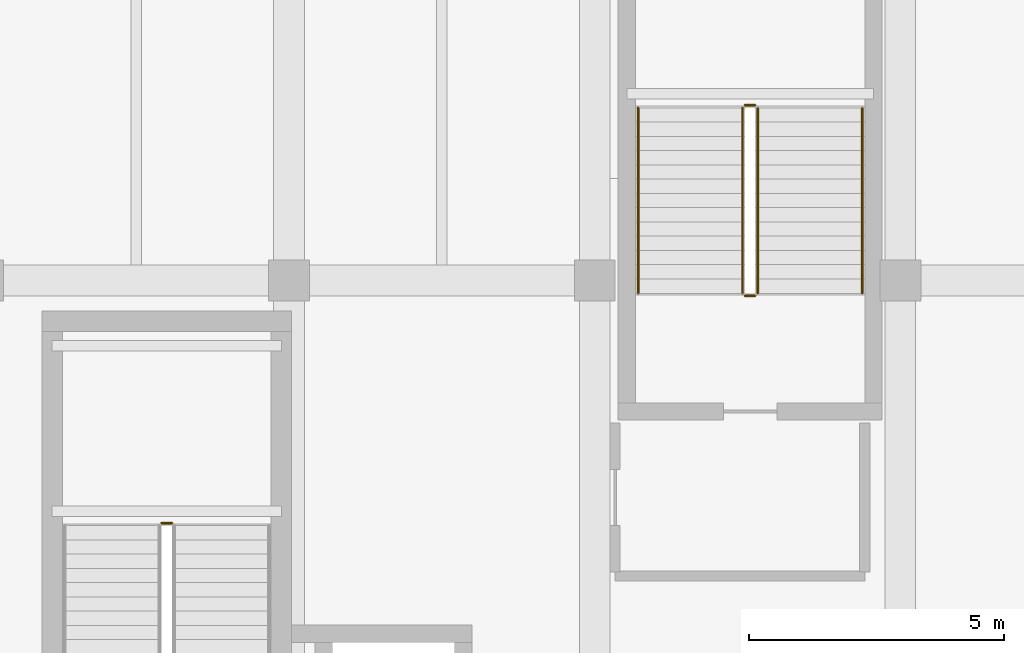
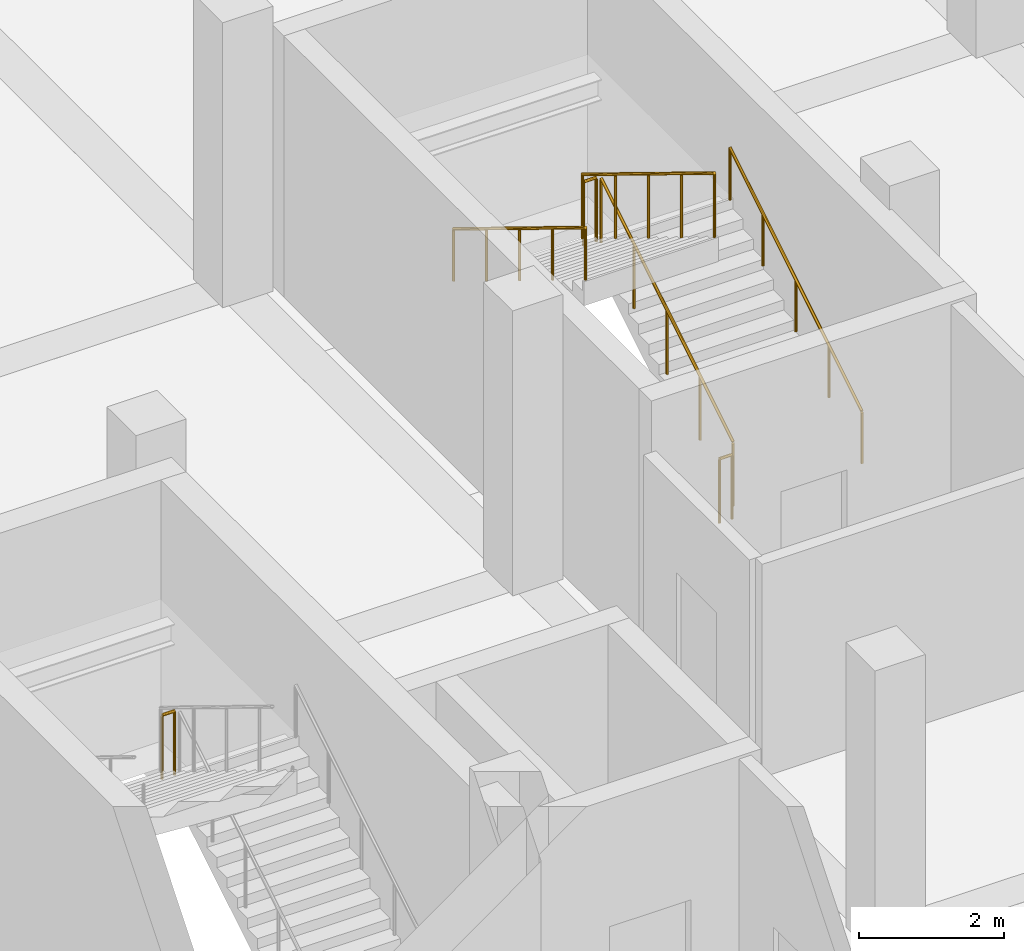
# One storey, part 35 of 36: 7 railings.
"""IFC4 building model written with IfcOpenShell, lengths in metres."""

from ifc_helpers import new_model, si_unit, direction, frame, origin, origin_2d, place, context, subcontext, project, spatial, circle, extrude, material, type_object, element, save


model = new_model("IFC4")

# Units and contexts
model_context = context("Model", 3, precision=1e-05, world=origin(), true_north=direction((0.0, 1.0)))
body_context = subcontext(model_context, "Body", "Model", "MODEL_VIEW")
ifc_project = project(units=[si_unit("LENGTHUNIT", "METRE"), si_unit("AREAUNIT", "SQUARE_METRE"), si_unit("VOLUMEUNIT", "CUBIC_METRE"), si_unit("PLANEANGLEUNIT", "RADIAN"), si_unit("MASSUNIT", "GRAM", prefix="KILO")], contexts=[model_context])

# Site, building, storey
site_placement = place(None, origin())
site = spatial("IfcSite", under=ifc_project, at=site_placement, CompositionType="ELEMENT")
building_placement = place(site_placement, origin())
building = spatial("IfcBuilding", under=site, at=building_placement, Name="Verrall Gate Interchange", CompositionType="ELEMENT")
storey_placement = place(building_placement, frame((0.0, 0.0, -4.800048828125)))
storey = spatial("IfcBuildingStorey", under=building, at=storey_placement, Name="B1", CompositionType="ELEMENT", Elevation=-4.800048828125)

# Railings
ifc_material_1 = material(Name="Brushed Stainless-Steel Guardrail and Handrail System", Category="steel")
railing_type_1 = type_object("IfcRailingType", Name="GR-02 Interior Atrium and Stair Guardrail 1100", PredefinedType="GUARDRAIL", material=ifc_material_1)
railing_1_placement = place(storey_placement, frame((9.699951171875, 61.239990234375, 2.400146484375)))
element("IfcRailing", 1, at=railing_1_placement, inside=storey, type_object=railing_type_1, Name="B1 ST-03 stair guard 2", PredefinedType="GUARDRAIL", context=body_context, shape_type="SweptSolid", body=[
    extrude(circle(Radius=0.02392578125, at=origin_2d()), frame((0.0, 0.0, 1.076171875), z_axis=(-1.0, 0.0, 0.0), x_axis=(0.0, -1.0, 0.0)), (0.0, 0.0, 1.0), 0.199951171875),
    extrude(circle(Radius=0.02099609375, at=origin_2d()), origin(), (0.0, 0.0, 1.0), 1.052001953125),
    extrude(circle(Radius=0.02099609375, at=origin_2d()), frame((-0.199951171875, 0.0, 0.0)), (0.0, 0.0, 1.0), 1.052001953125),
])
railing_2_placement = place(storey_placement, frame((21.199951171875, 65.75, 0.17138671875)))
element("IfcRailing", 2, at=railing_2_placement, inside=storey, type_object=railing_type_1, Name="B1 ST-04 stair guard 1", PredefinedType="GUARDRAIL", context=body_context, shape_type="SweptSolid", body=[
    extrude(circle(Radius=0.02392578125, at=origin_2d()), frame((0.0, 0.0, 1.076171875), z_axis=(0.0, 0.852824790078, 0.522197163366), x_axis=(-1.0, 0.0, 0.0)), (0.0, 0.0, 1.0), 4.26806640625),
    extrude(circle(Radius=0.02099609375, at=origin_2d()), origin(), (0.0, 0.0, 1.0), 1.052001953125),
    extrude(circle(Radius=0.02099609375, at=origin_2d()), frame((0.0, 0.909912109375, 0.55712890625)), (0.0, 0.0, 1.0), 1.052001953125),
    extrude(circle(Radius=0.02099609375, at=origin_2d()), frame((0.0, 1.81982421875, 1.1142578125)), (0.0, 0.0, 1.0), 1.052001953125),
    extrude(circle(Radius=0.02099609375, at=origin_2d()), frame((0.0, 2.72998046875, 1.671630859375)), (0.0, 0.0, 1.0), 1.052001953125),
    extrude(circle(Radius=0.02099609375, at=origin_2d()), frame((0.0, 3.639892578125, 2.228759765625)), (0.0, 0.0, 1.0), 1.052001953125),
])
railing_3_placement = place(storey_placement, frame((21.14990234375, 69.43994140625, 2.400146484375)))
element("IfcRailing", 3, at=railing_3_placement, inside=storey, type_object=railing_type_1, Name="B1 ST-04 stair guard 2", PredefinedType="GUARDRAIL", context=body_context, shape_type="SweptSolid", body=[
    extrude(circle(Radius=0.02392578125, at=origin_2d()), frame((0.0, 0.0, 1.076171875), z_axis=(-1.0, 0.0, 0.0), x_axis=(0.0, -1.0, 0.0)), (0.0, 0.0, 1.0), 0.199951171875),
    extrude(circle(Radius=0.02099609375, at=origin_2d()), origin(), (0.0, 0.0, 1.0), 1.052001953125),
    extrude(circle(Radius=0.02099609375, at=origin_2d()), frame((-0.199951171875, 0.0, 0.0)), (0.0, 0.0, 1.0), 1.052001953125),
])
railing_4_placement = place(storey_placement, frame((20.89990234375, 69.389892578125, 2.571533203125)))
element("IfcRailing", 4, at=railing_4_placement, inside=storey, type_object=railing_type_1, Name="B1 ST-04 stair guard 3", PredefinedType="GUARDRAIL", context=body_context, shape_type="SweptSolid", body=[
    extrude(circle(Radius=0.02392578125, at=origin_2d()), frame((0.0, 0.0, 1.076171875), z_axis=(0.0, -0.852850264322, 0.5221555579), x_axis=(1.0, 0.0, 0.0)), (0.0, 0.0, 1.0), 4.267822265625),
    extrude(circle(Radius=0.02099609375, at=origin_2d()), origin(), (0.0, 0.0, 1.0), 1.052001953125),
    extrude(circle(Radius=0.02099609375, at=origin_2d()), frame((0.0, -0.909912109375, 0.55712890625)), (0.0, 0.0, 1.0), 1.052001953125),
    extrude(circle(Radius=0.02099609375, at=origin_2d()), frame((0.0, -1.81982421875, 1.1142578125)), (0.0, 0.0, 1.0), 1.052001953125),
    extrude(circle(Radius=0.02099609375, at=origin_2d()), frame((0.0, -2.72998046875, 1.67138671875)), (0.0, 0.0, 1.0), 1.052001953125),
    extrude(circle(Radius=0.02099609375, at=origin_2d()), frame((0.0, -3.639892578125, 2.228515625)), (0.0, 0.0, 1.0), 1.052001953125),
])
railing_5_placement = place(storey_placement, frame((21.14990234375, 65.699951171875, 0.0)))
element("IfcRailing", 5, at=railing_5_placement, inside=storey, type_object=railing_type_1, Name="B1 ST-04 stair guard 4", PredefinedType="GUARDRAIL", context=body_context, shape_type="SweptSolid", body=[
    extrude(circle(Radius=0.02392578125, at=origin_2d()), frame((0.0, 0.0, 1.076171875), z_axis=(-1.0, 0.0, 0.0), x_axis=(0.0, -1.0, 0.0)), (0.0, 0.0, 1.0), 0.199951171875),
    extrude(circle(Radius=0.02099609375, at=origin_2d()), origin(), (0.0, 0.0, 1.0), 1.052001953125),
    extrude(circle(Radius=0.02099609375, at=origin_2d()), frame((-0.199951171875, 0.0, 0.0)), (0.0, 0.0, 1.0), 1.052001953125),
])
ifc_material_2 = material(Name="Brushed Stainless-Steel Guardrail and Handrail System", Category="steel")
railing_type_2 = type_object("IfcRailingType", Name="HR-01 Stair and Ramp Pitch-Line Handrail 920", PredefinedType="HANDRAIL", material=ifc_material_2)
railing_6_placement = place(storey_placement, frame((23.25, 65.75, 0.17138671875)))
element("IfcRailing", 6, at=railing_6_placement, inside=storey, type_object=railing_type_2, Name="B1 ST-04 stair handrail 1", PredefinedType="HANDRAIL", context=body_context, shape_type="SweptSolid", body=[
    extrude(circle(Radius=0.02392578125, at=origin_2d()), frame((0.0, 0.0, 0.8759765625), z_axis=(0.0, 0.852824790078, 0.522197163366), x_axis=(-1.0, 0.0, 0.0)), (0.0, 0.0, 1.0), 4.26806640625),
    extrude(circle(Radius=0.02099609375, at=origin_2d()), origin(), (0.0, 0.0, 1.0), 0.851806640625),
    extrude(circle(Radius=0.02099609375, at=origin_2d()), frame((0.0, 0.909912109375, 0.55712890625)), (0.0, 0.0, 1.0), 0.851806640625),
    extrude(circle(Radius=0.02099609375, at=origin_2d()), frame((0.0, 1.81982421875, 1.1142578125)), (0.0, 0.0, 1.0), 0.851806640625),
    extrude(circle(Radius=0.02099609375, at=origin_2d()), frame((0.0, 2.72998046875, 1.671630859375)), (0.0, 0.0, 1.0), 0.851806640625),
    extrude(circle(Radius=0.02099609375, at=origin_2d()), frame((0.0, 3.639892578125, 2.228759765625)), (0.0, 0.0, 1.0), 0.851806640625),
])
railing_7_placement = place(storey_placement, frame((18.85009765625, 69.389892578125, 2.571533203125)))
element("IfcRailing", 7, at=railing_7_placement, inside=storey, type_object=railing_type_2, Name="B1 ST-04 stair handrail 2", PredefinedType="HANDRAIL", context=body_context, shape_type="SweptSolid", body=[
    extrude(circle(Radius=0.02392578125, at=origin_2d()), frame((0.0, 0.0, 0.8759765625), z_axis=(0.0, -0.852850264322, 0.5221555579), x_axis=(1.0, 0.0, 0.0)), (0.0, 0.0, 1.0), 4.267822265625),
    extrude(circle(Radius=0.02099609375, at=origin_2d()), origin(), (0.0, 0.0, 1.0), 0.851806640625),
    extrude(circle(Radius=0.02099609375, at=origin_2d()), frame((0.0, -0.909912109375, 0.55712890625)), (0.0, 0.0, 1.0), 0.851806640625),
    extrude(circle(Radius=0.02099609375, at=origin_2d()), frame((0.0, -1.81982421875, 1.1142578125)), (0.0, 0.0, 1.0), 0.851806640625),
    extrude(circle(Radius=0.02099609375, at=origin_2d()), frame((0.0, -2.72998046875, 1.67138671875)), (0.0, 0.0, 1.0), 0.851806640625),
    extrude(circle(Radius=0.02099609375, at=origin_2d()), frame((0.0, -3.639892578125, 2.228515625)), (0.0, 0.0, 1.0), 0.851806640625),
])

save(model, "model.ifc")
